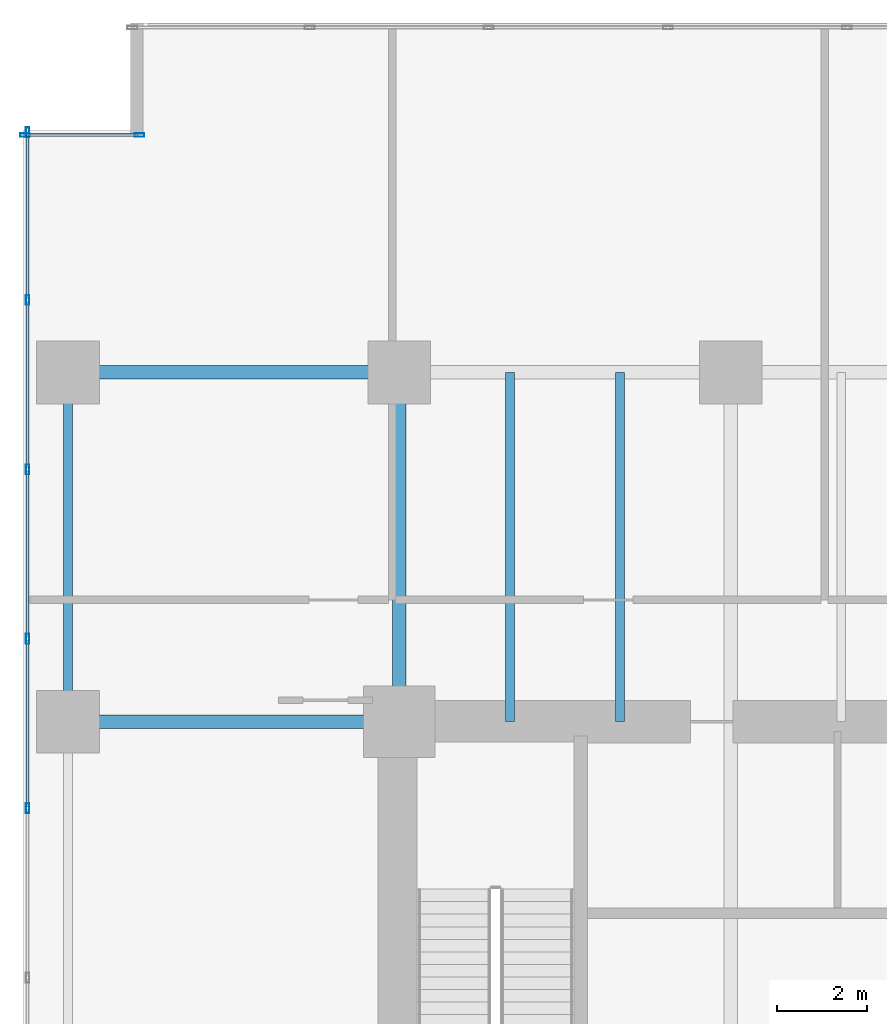
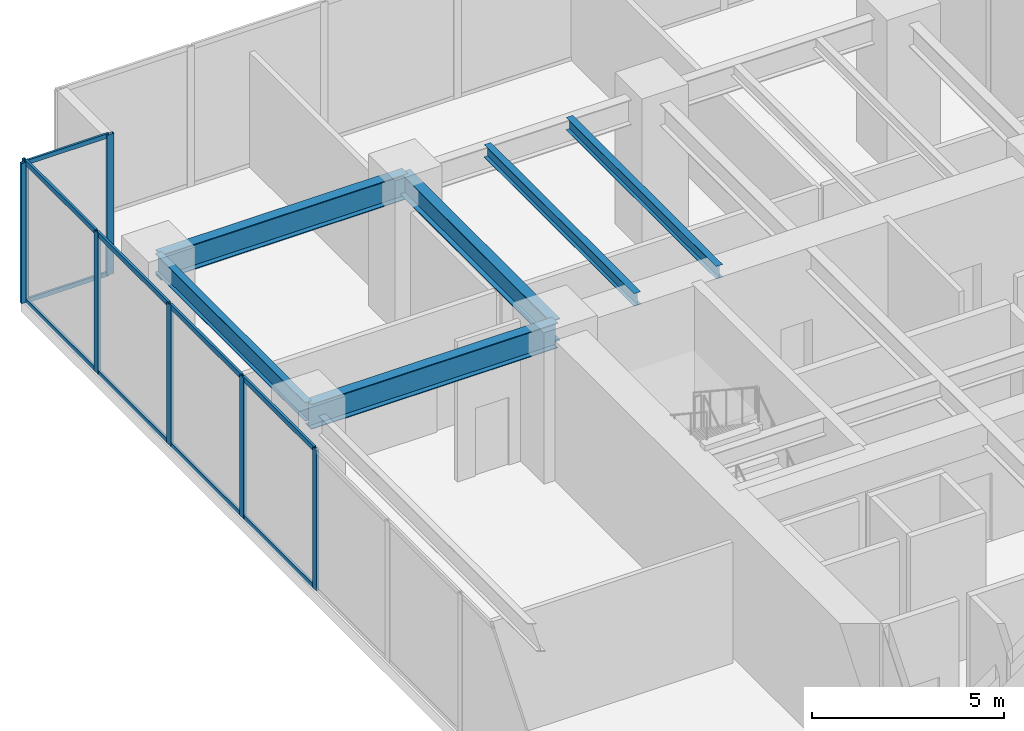
# One storey, part 12 of 32: 17 members, 6 beams, 2 elements without a shape of their own.
"""IFC4 building model written with IfcOpenShell, lengths in metres."""

from ifc_helpers import new_model, si_unit, direction, frame, origin, origin_2d, place, context, subcontext, project, spatial, hollow_rectangle, i_section, extrude, source, transform, mapped, material, layer, layer_set, material_profile, profile_set, type_object, type_shapes, element, aggregate, save


model = new_model("IFC4")

# Units and contexts
model_context = context("Model", 3, precision=1e-05, world=origin(), true_north=direction((0.0, 1.0)))
body_context = subcontext(model_context, "Body", "Model", "MODEL_VIEW")
ifc_project = project(units=[si_unit("LENGTHUNIT", "METRE"), si_unit("AREAUNIT", "SQUARE_METRE"), si_unit("VOLUMEUNIT", "CUBIC_METRE"), si_unit("PLANEANGLEUNIT", "RADIAN"), si_unit("MASSUNIT", "GRAM", prefix="KILO")], contexts=[model_context])

# Site, building, storey
site_placement = place(None, origin())
site = spatial("IfcSite", under=ifc_project, at=site_placement, CompositionType="ELEMENT")
building_placement = place(site_placement, origin())
building = spatial("IfcBuilding", under=site, at=building_placement, Name="Haelvirn Gate Laboratories", CompositionType="ELEMENT")
storey_placement = place(building_placement, frame((0.0, 0.0, 5.39990234375)))
storey = spatial("IfcBuildingStorey", under=building, at=storey_placement, Name="L02", CompositionType="ELEMENT", Elevation=5.39990234375)

# Beams
ifc_material_1 = material(Name="Steel SM420", Category="steel")
ifc_material_profile_1 = material_profile(ifc_material_1, i_section(OverallWidth=0.300048828125, OverallDepth=0.800048828125, WebThickness=0.013916015625, FlangeThickness=0.02587890625, at=origin_2d()), Name="H-800x300x14x26")
ifc_profile_set_1 = profile_set([ifc_material_profile_1], Name="Steel SM420")
beam_type_1 = type_object("IfcBeamType", Name="BM-G-800", PredefinedType="BEAM", material=ifc_profile_set_1)
shared_shape_1 = source(origin(), body_context, "Body", "SweptSolid", [
    extrude(i_section(OverallWidth=0.300048828125, OverallDepth=0.800048828125, WebThickness=0.013916015625, FlangeThickness=0.02587890625, at=origin_2d()), origin(), (0.0, 0.0, 1.0), 7.39990234375),
])
type_shapes(beam_type_1, [shared_shape_1])
for number, where, z_axis, x_axis, name in (
    (1, (0.0, 33.800048828125, 4.050048828125), (1.0, 0.0, 0.0), (0.0, 1.0, 0.0), "L02 Primary Girder Y33.8 (0.0-7.4)"),
    (2, (0.0, 41.60009765625, 4.050048828125), (1.0, 0.0, 0.0), (0.0, 1.0, 0.0), "L02 Primary Girder Y41.6 (0.0-7.4)"),
):
    element("IfcBeam", number, at=place(storey_placement, frame(where, z_axis=z_axis, x_axis=x_axis)), inside=storey, type_object=beam_type_1, Name=name, PredefinedType="BEAM", context=body_context, shape_type="MappedRepresentation", body=[
        mapped(shared_shape_1, transform((0.0, 0.0, 0.0), scale=1.0)),
    ])
ifc_material_2 = material(Name="Steel SM355", Category="steel")
ifc_material_profile_2 = material_profile(ifc_material_2, i_section(OverallWidth=0.199951171875, OverallDepth=0.60009765625, WebThickness=0.010986328125, FlangeThickness=0.01708984375, at=origin_2d()), Name="H-600x200x11x17")
ifc_profile_set_2 = profile_set([ifc_material_profile_2], Name="Steel SM355")
beam_type_2 = type_object("IfcBeamType", Name="BM-SP-600", PredefinedType="SPANDREL", material=ifc_profile_set_2)
shared_shape_2 = source(origin(), body_context, "Body", "SweptSolid", [
    extrude(i_section(OverallWidth=0.199951171875, OverallDepth=0.60009765625, WebThickness=0.010986328125, FlangeThickness=0.01708984375, at=origin_2d()), origin(), (0.0, 0.0, 1.0), 7.800048828125),
])
type_shapes(beam_type_2, [shared_shape_2])
beam_1_placement = place(storey_placement, frame((0.0, 33.800048828125, 4.150146484375), z_axis=(0.0, 1.0, 0.0), x_axis=(-1.0, 0.0, 0.0)))
element("IfcBeam", 3, at=beam_1_placement, inside=storey, type_object=beam_type_2, Name="L02 Perimeter Spandrel X0.0 (33.8-41.6)", PredefinedType="SPANDREL", context=body_context, shape_type="MappedRepresentation", body=[
    mapped(shared_shape_2, transform((0.0, 0.0, 0.0), scale=1.0)),
])
ifc_material_profile_3 = material_profile(ifc_material_2, i_section(OverallWidth=0.199951171875, OverallDepth=0.39990234375, WebThickness=0.008056640625, FlangeThickness=0.012939453125, at=origin_2d()), Name="H-400x200x8x13")
ifc_profile_set_3 = profile_set([ifc_material_profile_3], Name="Steel SM355")
beam_type_3 = type_object("IfcBeamType", Name="BM-J-400", PredefinedType="JOIST", material=ifc_profile_set_3)
shared_shape_3 = source(origin(), body_context, "Body", "SweptSolid", [
    extrude(i_section(OverallWidth=0.199951171875, OverallDepth=0.39990234375, WebThickness=0.008056640625, FlangeThickness=0.012939453125, at=origin_2d()), origin(), (0.0, 0.0, 1.0), 7.800048828125),
])
type_shapes(beam_type_3, [shared_shape_3])
for number, where, z_axis, x_axis, name in (
    (4, (9.8701171875, 33.800048828125, 4.25), (0.0, 1.0, 0.0), (-1.0, 0.0, 0.0), "L02 Composite Lab Joist North X9.87"),
    (5, (12.330078125, 33.800048828125, 4.25), (0.0, 1.0, 0.0), (-1.0, 0.0, 0.0), "L02 Composite Lab Joist North X12.33"),
):
    element("IfcBeam", number, at=place(storey_placement, frame(where, z_axis=z_axis, x_axis=x_axis)), inside=storey, type_object=beam_type_3, Name=name, PredefinedType="JOIST", context=body_context, shape_type="MappedRepresentation", body=[
        mapped(shared_shape_3, transform((0.0, 0.0, 0.0), scale=1.0)),
    ])
ifc_material_profile_4 = material_profile(ifc_material_2, i_section(OverallWidth=0.300048828125, OverallDepth=0.699951171875, WebThickness=0.012939453125, FlangeThickness=0.02392578125, at=origin_2d()), Name="H-700x300x13x24")
ifc_profile_set_4 = profile_set([ifc_material_profile_4], Name="Steel SM355")
beam_type_4 = type_object("IfcBeamType", Name="BM-G-700", PredefinedType="BEAM", material=ifc_profile_set_4)
shared_shape_4 = source(origin(), body_context, "Body", "SweptSolid", [
    extrude(i_section(OverallWidth=0.300048828125, OverallDepth=0.699951171875, WebThickness=0.012939453125, FlangeThickness=0.02392578125, at=origin_2d()), origin(), (0.0, 0.0, 1.0), 7.800048828125),
])
type_shapes(beam_type_4, [shared_shape_4])
beam_2_placement = place(storey_placement, frame((7.39990234375, 33.800048828125, 4.10009765625), z_axis=(0.0, 1.0, 0.0), x_axis=(-1.0, 0.0, 0.0)))
element("IfcBeam", 6, at=beam_2_placement, inside=storey, type_object=beam_type_4, Name="L02 Frame Girder X7.4 (33.8-41.6)", PredefinedType="BEAM", context=body_context, shape_type="MappedRepresentation", body=[
    mapped(shared_shape_4, transform((0.0, 0.0, 0.0), scale=1.0)),
])

# Curtain wall, members
ifc_material_3 = material(Name="Anodised bronze unitised aluminium & triple low-E glass", Category="aluminium")
ifc_layer_1 = layer(ifc_material_3, 0.181884765625, Name="CW-SYS-5")
ifc_layer_set_1 = layer_set([ifc_layer_1], Name="Anodised bronze unitised aluminium & triple low-E glass")
curtain_wall_type_1 = type_object("IfcCurtainWallType", Name="CW-SYS-5", PredefinedType="NOTDEFINED", material=ifc_layer_set_1)
curtain_wall_1_placement = place(storey_placement, origin())
curtain_wall_1 = element("IfcCurtainWall", 7, at=curtain_wall_1_placement, inside=storey, type_object=curtain_wall_type_1, Name="L02 Unitised Curtain Wall CW-L02-P0-E04-1", PredefinedType="NOTDEFINED")
ifc_material_4 = material(Name="Extruded aluminium 6063-T6 (anodised bronze)", Category="aluminium")
ifc_material_profile_5 = material_profile(ifc_material_4, hollow_rectangle(XDim=0.080078125, YDim=0.219970703125, WallThickness=0.006103515625, at=origin_2d()), Name="CWM-220x80x6")
ifc_profile_set_5 = profile_set([ifc_material_profile_5], Name="Extruded aluminium 6063-T6 (anodised bronze)")
member_type_1 = type_object("IfcMemberType", Name="CWM-T220", PredefinedType="MULLION", material=ifc_profile_set_5)
shared_shape_5 = source(origin(), body_context, "Body", "SweptSolid", [
    extrude(hollow_rectangle(XDim=0.080078125, YDim=0.219970703125, WallThickness=0.006103515625, at=origin_2d()), origin(), (0.0, 0.0, 1.0), 4.4501953125),
])
type_shapes(member_type_1, [shared_shape_5])
member_1_placement = place(storey_placement, frame((-0.9599609375, 46.89990234375, 0.0), z_axis=(0.0, 0.0, 1.0), x_axis=(0.0, 1.0, 0.0)))
member_1 = element("IfcMember", 8, at=member_1_placement, type_object=member_type_1, Name="CW5 mullion 1", PredefinedType="MULLION", context=body_context, shape_type="MappedRepresentation", body=[
    mapped(shared_shape_5, transform((0.0, 0.0, 0.0), scale=1.0)),
])
member_2_placement = place(storey_placement, frame((1.60009765625, 46.89990234375, 0.0), z_axis=(0.0, 0.0, 1.0), x_axis=(0.0, 1.0, 0.0)))
member_2 = element("IfcMember", 9, at=member_2_placement, type_object=member_type_1, Name="CW5 mullion 2", PredefinedType="MULLION", context=body_context, shape_type="MappedRepresentation", body=[
    mapped(shared_shape_5, transform((0.0, 0.0, 0.0), scale=1.0)),
])

ifc_layer_2 = layer(ifc_material_3, 0.18798828125, Name="CW-SYS-1")
ifc_layer_set_2 = layer_set([ifc_layer_2], Name="Anodised bronze unitised aluminium & triple low-E glass")
curtain_wall_type_2 = type_object("IfcCurtainWallType", Name="CW-SYS-1", PredefinedType="NOTDEFINED", material=ifc_layer_set_2)
curtain_wall_2_placement = place(storey_placement, origin())
curtain_wall_2 = element("IfcCurtainWall", 10, at=curtain_wall_2_placement, inside=storey, type_object=curtain_wall_type_2, Name="L02 Unitised Curtain Wall CW-L02-P0-E05", PredefinedType="NOTDEFINED")
member_3_placement = place(storey_placement, frame((-0.89990234375, 46.9599609375, 0.0), z_axis=(0.0, 0.0, 1.0), x_axis=(1.0, 0.0, 0.0)))
member_3 = element("IfcMember", 11, at=member_3_placement, type_object=member_type_1, Name="CW1 mullion 1", PredefinedType="MULLION", context=body_context, shape_type="MappedRepresentation", body=[
    mapped(shared_shape_5, transform((0.0, 0.0, 0.0), scale=1.0)),
])
member_4_placement = place(storey_placement, frame((-0.89990234375, 43.216552734375, 0.0), z_axis=(0.0, 0.0, 1.0), x_axis=(1.0, 0.0, 0.0)))
member_4 = element("IfcMember", 12, at=member_4_placement, type_object=member_type_1, Name="CW1 mullion 2", PredefinedType="MULLION", context=body_context, shape_type="MappedRepresentation", body=[
    mapped(shared_shape_5, transform((0.0, 0.0, 0.0), scale=1.0)),
])
member_5_placement = place(storey_placement, frame((-0.89990234375, 39.433349609375, 0.0), z_axis=(0.0, 0.0, 1.0), x_axis=(1.0, 0.0, 0.0)))
member_5 = element("IfcMember", 13, at=member_5_placement, type_object=member_type_1, Name="CW1 mullion 3", PredefinedType="MULLION", context=body_context, shape_type="MappedRepresentation", body=[
    mapped(shared_shape_5, transform((0.0, 0.0, 0.0), scale=1.0)),
])
member_6_placement = place(storey_placement, frame((-0.89990234375, 35.64990234375, 0.0), z_axis=(0.0, 0.0, 1.0), x_axis=(1.0, 0.0, 0.0)))
member_6 = element("IfcMember", 14, at=member_6_placement, type_object=member_type_1, Name="CW1 mullion 4", PredefinedType="MULLION", context=body_context, shape_type="MappedRepresentation", body=[
    mapped(shared_shape_5, transform((0.0, 0.0, 0.0), scale=1.0)),
])
member_7_placement = place(storey_placement, frame((-0.89990234375, 31.86669921875, 0.0), z_axis=(0.0, 0.0, 1.0), x_axis=(1.0, 0.0, 0.0)))
member_7 = element("IfcMember", 15, at=member_7_placement, type_object=member_type_1, Name="CW1 mullion 5", PredefinedType="MULLION", context=body_context, shape_type="MappedRepresentation", body=[
    mapped(shared_shape_5, transform((0.0, 0.0, 0.0), scale=1.0)),
])

# Member
ifc_material_profile_6 = material_profile(ifc_material_4, hollow_rectangle(XDim=0.06494140625, YDim=0.139892578125, WallThickness=0.00390625, at=origin_2d()), Name="CWT-140x65x4")
ifc_profile_set_6 = profile_set([ifc_material_profile_6], Name="Extruded aluminium 6063-T6 (anodised bronze)")
member_type_2 = type_object("IfcMemberType", Name="CWT-T140", PredefinedType="USERDEFINED", material=ifc_profile_set_6)
shared_shape_6 = source(origin(), body_context, "Body", "SweptSolid", [
    extrude(hollow_rectangle(XDim=0.06494140625, YDim=0.139892578125, WallThickness=0.00390625, at=origin_2d()), origin(), (0.0, 0.0, 1.0), 2.47998046875),
])
type_shapes(member_type_2, [shared_shape_6])
member_8_placement = place(storey_placement, frame((-0.919921875, 46.89990234375, 0.03271484375), z_axis=(1.0, 0.0, 0.0), x_axis=(0.0, 1.0, 0.0)))
member_8 = element("IfcMember", 16, at=member_8_placement, type_object=member_type_2, Name="CW5 transom 1.1", ObjectType="TRANSOM", PredefinedType="USERDEFINED", context=body_context, shape_type="MappedRepresentation", body=[
    mapped(shared_shape_6, transform((0.0, 0.0, 0.0), scale=1.0)),
])

member_9_placement = place(storey_placement, frame((-0.919921875, 46.89990234375, 4.41748046875), z_axis=(1.0, 0.0, 0.0), x_axis=(0.0, 1.0, 0.0)))
member_9 = element("IfcMember", 17, at=member_9_placement, type_object=member_type_2, Name="CW5 transom 1.2", ObjectType="TRANSOM", PredefinedType="USERDEFINED", context=body_context, shape_type="MappedRepresentation", body=[
    mapped(shared_shape_6, transform((0.0, 0.0, 0.0), scale=1.0)),
])

aggregate(curtain_wall_1, [member_1, member_2, member_8, member_9])

ifc_material_profile_7 = material_profile(ifc_material_4, hollow_rectangle(XDim=0.070068359375, YDim=0.159912109375, WallThickness=0.0048828125, at=origin_2d()), Name="CWT-160x70x5")
ifc_profile_set_7 = profile_set([ifc_material_profile_7], Name="Extruded aluminium 6063-T6 (anodised bronze)")
member_type_3 = type_object("IfcMemberType", Name="CWT-T160", PredefinedType="USERDEFINED", material=ifc_profile_set_7)
shared_shape_7 = source(origin(), body_context, "Body", "SweptSolid", [
    extrude(hollow_rectangle(XDim=0.070068359375, YDim=0.159912109375, WallThickness=0.0048828125, at=origin_2d()), origin(), (0.0, 0.0, 1.0), 3.663330078125),
])
member_10_placement = place(storey_placement, frame((-0.89990234375, 46.919921875, 0.03515625), z_axis=(0.0, -1.0, 0.0), x_axis=(1.0, 0.0, 0.0)))
member_10 = element("IfcMember", 18, at=member_10_placement, type_object=member_type_3, Name="CW1 transom 1.1", ObjectType="TRANSOM", PredefinedType="USERDEFINED", context=body_context, shape_type="MappedRepresentation", body=[
    mapped(shared_shape_7, transform((0.0, 0.0, 0.0), scale=1.0)),
])

member_11_placement = place(storey_placement, frame((-0.89990234375, 46.919921875, 4.4150390625), z_axis=(0.0, -1.0, 0.0), x_axis=(1.0, 0.0, 0.0)))
member_11 = element("IfcMember", 19, at=member_11_placement, type_object=member_type_3, Name="CW1 transom 1.2", ObjectType="TRANSOM", PredefinedType="USERDEFINED", context=body_context, shape_type="MappedRepresentation", body=[
    mapped(shared_shape_7, transform((0.0, 0.0, 0.0), scale=1.0)),
])

shared_shape_8 = source(origin(), body_context, "Body", "SweptSolid", [
    extrude(hollow_rectangle(XDim=0.070068359375, YDim=0.159912109375, WallThickness=0.0048828125, at=origin_2d()), origin(), (0.0, 0.0, 1.0), 3.703369140625),
])
type_shapes(member_type_3, [shared_shape_7, shared_shape_8])
member_12_placement = place(storey_placement, frame((-0.89990234375, 43.1767578125, 0.03515625), z_axis=(0.0, -1.0, 0.0), x_axis=(1.0, 0.0, 0.0)))
member_12 = element("IfcMember", 20, at=member_12_placement, type_object=member_type_3, Name="CW1 transom 2.1", ObjectType="TRANSOM", PredefinedType="USERDEFINED", context=body_context, shape_type="MappedRepresentation", body=[
    mapped(shared_shape_8, transform((0.0, 0.0, 0.0), scale=1.0)),
])

member_13_placement = place(storey_placement, frame((-0.89990234375, 43.1767578125, 4.4150390625), z_axis=(0.0, -1.0, 0.0), x_axis=(1.0, 0.0, 0.0)))
member_13 = element("IfcMember", 21, at=member_13_placement, type_object=member_type_3, Name="CW1 transom 2.2", ObjectType="TRANSOM", PredefinedType="USERDEFINED", context=body_context, shape_type="MappedRepresentation", body=[
    mapped(shared_shape_8, transform((0.0, 0.0, 0.0), scale=1.0)),
])

member_14_placement = place(storey_placement, frame((-0.89990234375, 39.393310546875, 0.03515625), z_axis=(0.0, -1.0, 0.0), x_axis=(1.0, 0.0, 0.0)))
member_14 = element("IfcMember", 22, at=member_14_placement, type_object=member_type_3, Name="CW1 transom 3.1", ObjectType="TRANSOM", PredefinedType="USERDEFINED", context=body_context, shape_type="MappedRepresentation", body=[
    mapped(shared_shape_8, transform((0.0, 0.0, 0.0), scale=1.0)),
])

member_15_placement = place(storey_placement, frame((-0.89990234375, 39.393310546875, 4.4150390625), z_axis=(0.0, -1.0, 0.0), x_axis=(1.0, 0.0, 0.0)))
member_15 = element("IfcMember", 23, at=member_15_placement, type_object=member_type_3, Name="CW1 transom 3.2", ObjectType="TRANSOM", PredefinedType="USERDEFINED", context=body_context, shape_type="MappedRepresentation", body=[
    mapped(shared_shape_8, transform((0.0, 0.0, 0.0), scale=1.0)),
])

member_16_placement = place(storey_placement, frame((-0.89990234375, 35.610107421875, 0.03515625), z_axis=(0.0, -1.0, 0.0), x_axis=(1.0, 0.0, 0.0)))
member_16 = element("IfcMember", 24, at=member_16_placement, type_object=member_type_3, Name="CW1 transom 4.1", ObjectType="TRANSOM", PredefinedType="USERDEFINED", context=body_context, shape_type="MappedRepresentation", body=[
    mapped(shared_shape_8, transform((0.0, 0.0, 0.0), scale=1.0)),
])

member_17_placement = place(storey_placement, frame((-0.89990234375, 35.610107421875, 4.4150390625), z_axis=(0.0, -1.0, 0.0), x_axis=(1.0, 0.0, 0.0)))
member_17 = element("IfcMember", 25, at=member_17_placement, type_object=member_type_3, Name="CW1 transom 4.2", ObjectType="TRANSOM", PredefinedType="USERDEFINED", context=body_context, shape_type="MappedRepresentation", body=[
    mapped(shared_shape_8, transform((0.0, 0.0, 0.0), scale=1.0)),
])

aggregate(curtain_wall_2, [member_3, member_4, member_5, member_6, member_7, member_10, member_11, member_12, member_13, member_14, member_15, member_16, member_17])

save(model, "model.ifc")
